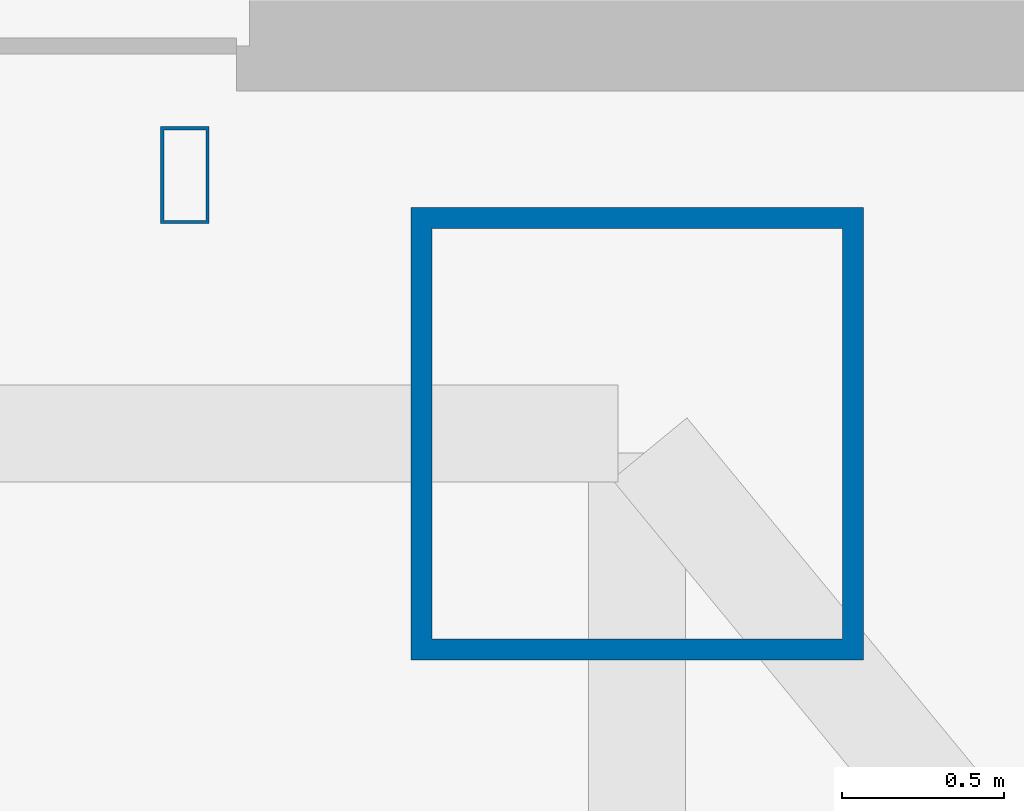
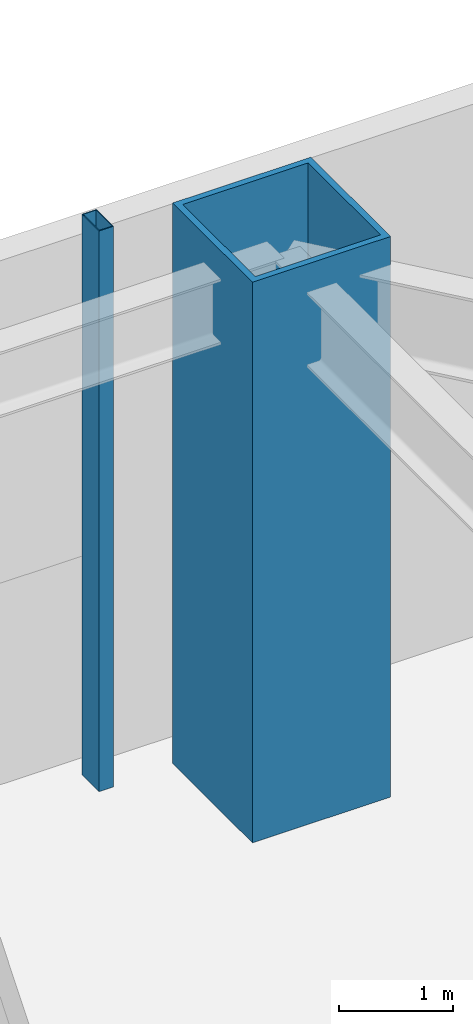
# One storey, part 5 of 23: 2 columns.
"""IFC4 building model written with IfcOpenShell, lengths in metres."""

import ifcopenshell
import ifcopenshell.guid

model = None  # the IFC model being written
_history = None  # IfcOwnerHistory: only IFC2X3 demands one
_inside = {}  # id of a spatial element -> (the spatial element, [elements in it])
_under = {}  # id of a project, library or spatial element -> (it, [spatial elements below it])
_declared = {}  # id of a project -> (the project, [libraries it declares])
_typed = {}  # id of a type object -> (the type object, [elements of that type])
_made_of = {}  # id of a material, layer set ... -> (it, [elements and type objects made of it])


def new_model(schema):
    """Start an empty IFC model of exactly this schema.

    Asked for "IFC4X3", IfcOpenShell would pick the latest addendum, in which some entities
    have other attributes; the version numbers below select the first issue.
    IFC2X3 requires an IfcOwnerHistory on every rooted entity: one is made here for all.
    """
    global model, _history
    if schema == "IFC4X3":
        model = ifcopenshell.file(schema_version=(4, 3, 0, 0))
    else:
        model = ifcopenshell.file(schema=schema)
    _inside.clear()
    _under.clear()
    _declared.clear()
    _typed.clear()
    _made_of.clear()
    _history = None
    if model.schema == "IFC2X3":
        org = make("IfcOrganization", Name="unknown")
        user = make(
            "IfcPersonAndOrganization",
            ThePerson=make("IfcPerson", FamilyName="unknown"),
            TheOrganization=org,
        )
        app = make(
            "IfcApplication",
            ApplicationDeveloper=org,
            Version="unknown",
            ApplicationFullName="unknown",
            ApplicationIdentifier="unknown",
        )
        _history = make(
            "IfcOwnerHistory",
            OwningUser=user,
            OwningApplication=app,
            ChangeAction="ADDED",
            CreationDate=0,
        )
    return model


def make(cls, **values):
    """One entity of the class cls with the attributes given. An attribute that is None is left unset."""
    return model.create_entity(
        cls, **{name: value for name, value in values.items() if value is not None}
    )


def rooted(cls, **values):
    """An entity with a GlobalId (a new one), such as an element, a storey or a relation."""
    return make(cls, GlobalId=ifcopenshell.guid.new(), OwnerHistory=_history, **values)


def si_unit(unit_type, name, prefix=None):
    """IfcSIUnit, for example si_unit("LENGTHUNIT", "METRE", prefix="MILLI")."""
    return make("IfcSIUnit", UnitType=unit_type, Prefix=prefix, Name=name)


def assignment(units):
    """IfcUnitAssignment: the units of a project."""
    return None if units is None else make("IfcUnitAssignment", Units=units)


def point(xyz):
    """IfcCartesianPoint."""
    return None if xyz is None else make("IfcCartesianPoint", Coordinates=xyz)


def direction(xyz):
    """IfcDirection."""
    return None if xyz is None else make("IfcDirection", DirectionRatios=xyz)


def frame(location, z_axis=None, x_axis=None):
    """IfcAxis2Placement3D, a coordinate frame: its origin and axes. An axis left out is left unset."""
    return make(
        "IfcAxis2Placement3D",
        Location=point(location),
        Axis=direction(z_axis),
        RefDirection=direction(x_axis),
    )


def frame_2d(location, x_axis=None):
    """IfcAxis2Placement2D, a coordinate frame in the plane: its origin and x axis."""
    return make(
        "IfcAxis2Placement2D", Location=point(location), RefDirection=direction(x_axis)
    )


def origin():
    """The frame at (0, 0, 0) with its axes left unset."""
    return frame((0.0, 0.0, 0.0))


def origin_2d():
    """The frame at (0, 0) in the plane with its x axis left unset."""
    return frame_2d((0.0, 0.0))


def place(relative_to, where):
    """IfcLocalPlacement: puts the frame where relative to a parent placement (None: the world)."""
    return make(
        "IfcLocalPlacement", PlacementRelTo=relative_to, RelativePlacement=where
    )


def context(
    kind, dimensions, precision=None, world=None, true_north=None, identifier=None
):
    """IfcGeometricRepresentationContext, for example the 3D "Model" context."""
    return make(
        "IfcGeometricRepresentationContext",
        ContextIdentifier=identifier,
        ContextType=kind,
        CoordinateSpaceDimension=dimensions,
        Precision=precision,
        WorldCoordinateSystem=world,
        TrueNorth=true_north,
    )


def subcontext(parent, identifier, kind, view, scale=None):
    """IfcGeometricRepresentationSubContext, for example "Body" below "Model"."""
    return make(
        "IfcGeometricRepresentationSubContext",
        ContextIdentifier=identifier,
        ContextType=kind,
        ParentContext=parent,
        TargetScale=scale,
        TargetView=view,
    )


def project(units=None, contexts=None):
    """IfcProject with its units and contexts."""
    return rooted(
        "IfcProject",
        Name="project",
        RepresentationContexts=contexts,
        UnitsInContext=assignment(units),
    )


def spatial(cls, under=None, at=None, **own):
    """A site, building, storey or space (cls), placed at a placement, below another one or the project."""
    s = rooted(cls, ObjectPlacement=at, **own)
    if under is not None:
        _under.setdefault(under.id(), (under, []))[1].append(s)
    return s


def profile(cls, at=None, kind="AREA", **sizes):
    """A parametric profile (cls). Its sizes go by their IFC names, for example OverallWidth=200.0."""
    return make(cls, ProfileType=kind, Position=at, **sizes)


def hollow_rectangle(**sizes):
    """IfcRectangleHollowProfileDef."""
    return profile("IfcRectangleHollowProfileDef", **sizes)


def extrude(swept, where, along, depth):
    """IfcExtrudedAreaSolid: the profile swept, set in the frame where, extruded along a direction by depth."""
    return make(
        "IfcExtrudedAreaSolid",
        SweptArea=swept,
        Position=where,
        ExtrudedDirection=direction(along),
        Depth=depth,
    )


def shape(context_of_items, identifier, shape_type, items):
    """IfcShapeRepresentation: the items that make up one representation, for example the "Body"."""
    return make(
        "IfcShapeRepresentation",
        ContextOfItems=context_of_items,
        RepresentationIdentifier=identifier,
        RepresentationType=shape_type,
        Items=items,
    )


def material(Name=None, Category=None):
    """IfcMaterial."""
    return make("IfcMaterial", Name=Name, Category=Category)


def material_profile(
    of_material, cross_section, Name=None, Category=None, Priority=None
):
    """IfcMaterialProfile: a cross section and its material."""
    return make(
        "IfcMaterialProfile",
        Name=Name,
        Material=of_material,
        Profile=cross_section,
        Priority=Priority,
        Category=Category,
    )


def profile_set(profiles, Name=None, composite=None):
    """IfcMaterialProfileSet."""
    return make(
        "IfcMaterialProfileSet",
        Name=Name,
        MaterialProfiles=profiles,
        CompositeProfile=composite,
    )


def made_of(thing, what):
    """Note that an element or type object is made of a material, layer set ...; save() writes the relation."""
    if what is not None:
        _made_of.setdefault(what.id(), (what, []))[1].append(thing)
    return thing


def type_object(cls, material=None, **own):
    """A type object (cls), such as IfcWallType, which elements share."""
    return made_of(rooted(cls, **own), material)


def element(
    cls,
    number,
    at=None,
    inside=None,
    cuts=None,
    type_object=None,
    material=None,
    context=None,
    identifier="Body",
    shape_type=None,
    held_by="IfcProductDefinitionShape",
    body=None,
    shapes=None,
    **own,
):
    """One element of the class cls, such as IfcWall. Its Tag is "e" and its number.

    at: its placement. inside: the storey or other place that contains it. cuts: it is an
    opening in that element (IfcRelVoidsElement). A single representation is given by context,
    identifier, shape_type and body (its items); several are given by shapes. held_by: the class
    of the entity that holds the representations. save() writes the other relations.
    """
    e = rooted(cls, Tag="e%d" % number, ObjectPlacement=at, **own)
    if body is not None:
        shapes = [shape(context, identifier, shape_type, body)]
    if shapes is not None:
        e.Representation = make(held_by, Representations=shapes)
    if inside is not None:
        _inside.setdefault(inside.id(), (inside, []))[1].append(e)
    if cuts is not None:
        rooted(
            "IfcRelVoidsElement", RelatingBuildingElement=cuts, RelatedOpeningElement=e
        )
    if type_object is not None:
        _typed.setdefault(type_object.id(), (type_object, []))[1].append(e)
    return made_of(e, material)


def aggregate(whole, parts):
    """IfcRelAggregates: a whole, such as a stair, and the parts it consists of."""
    return rooted("IfcRelAggregates", RelatingObject=whole, RelatedObjects=parts)


def save(model, path):
    """Write the relations noted so far, then the file.

    IfcRelAggregates (storeys below a building ...), IfcRelContainedInSpatialStructure (elements
    in a storey), IfcRelDefinesByType, IfcRelAssociatesMaterial and IfcRelDeclares: one each for
    every whole, place, type object, material and project.
    """
    for whole, parts in _under.values():
        aggregate(whole, parts)
    for where, things in _inside.values():
        rooted(
            "IfcRelContainedInSpatialStructure",
            RelatedElements=things,
            RelatingStructure=where,
        )
    for kind, things in _typed.values():
        rooted("IfcRelDefinesByType", RelatedObjects=things, RelatingType=kind)
    for what, things in _made_of.values():
        rooted("IfcRelAssociatesMaterial", RelatedObjects=things, RelatingMaterial=what)
    for by, libraries in _declared.values():
        rooted("IfcRelDeclares", RelatingContext=by, RelatedDefinitions=libraries)
    model.write(path)


model = new_model("IFC4")

# Units and contexts
model_context = context("Model", 3, precision=1e-05, world=origin(), true_north=direction((0.0, 1.0)))
body_context = subcontext(model_context, "Body", "Model", "MODEL_VIEW")
ifc_project = project(units=[si_unit("LENGTHUNIT", "METRE"), si_unit("AREAUNIT", "SQUARE_METRE"), si_unit("VOLUMEUNIT", "CUBIC_METRE"), si_unit("PLANEANGLEUNIT", "RADIAN"), si_unit("MASSUNIT", "GRAM", prefix="KILO")], contexts=[model_context])

# Site, building, storey
site_placement = place(None, origin())
site = spatial("IfcSite", under=ifc_project, at=site_placement, CompositionType="ELEMENT")
building_placement = place(site_placement, origin())
building = spatial("IfcBuilding", under=site, at=building_placement, Name="Saevonmaru Cultural Tower", CompositionType="ELEMENT")
storey_placement = place(building_placement, origin())
storey = spatial("IfcBuildingStorey", under=building, at=storey_placement, Name="L00", CompositionType="ELEMENT", Elevation=0.0)

# Columns
ifc_material_1 = material(Name="Steel HSA600 (600 MPa)", Category="steel")
ifc_material_profile_1 = material_profile(ifc_material_1, hollow_rectangle(XDim=1.39990234375, YDim=1.39990234375, WallThickness=0.06494140625, at=origin_2d()), Name="BOX-1400x1400x65")
ifc_profile_set_1 = profile_set([ifc_material_profile_1], Name="Steel HSA600 (600 MPa)")
column_type_1 = type_object("IfcColumnType", Name="COL-BOX-1400", PredefinedType="COLUMN", material=ifc_profile_set_1)
column_1_placement = place(storey_placement, frame((53.199951171875, 54.800048828125, 0.0), z_axis=(0.0, 0.0, 1.0), x_axis=(1.0, 0.0, 0.0)))
element("IfcColumn", 1, at=column_1_placement, inside=storey, type_object=column_type_1, Name="L00 Column TC-N6N", PredefinedType="COLUMN", context=body_context, shape_type="SweptSolid", body=[
    extrude(hollow_rectangle(XDim=1.39990234375, YDim=1.39990234375, WallThickness=0.06494140625, at=origin_2d()), origin(), (0.0, 0.0, 1.0), 6.0),
])
ifc_material_2 = material(Name="Steel SM355", Category="steel")
ifc_material_profile_2 = material_profile(ifc_material_2, hollow_rectangle(XDim=0.14990234375, YDim=0.300048828125, WallThickness=0.010009765625, at=origin_2d()), Name="RHS-300x150x10")
ifc_profile_set_2 = profile_set([ifc_material_profile_2], Name="Steel SM355")
column_type_2 = type_object("IfcColumnType", Name="PIL-RHS-300", PredefinedType="PILASTER", material=ifc_profile_set_2)
column_2_placement = place(storey_placement, frame((51.800048828125, 55.60009765625, 0.0), z_axis=(0.0, 0.0, 1.0), x_axis=(1.0, 0.0, 0.0)))
element("IfcColumn", 2, at=column_2_placement, inside=storey, type_object=column_type_2, Name="L00 Art Deco Bronze-Clad Pilaster PIL-NE", PredefinedType="PILASTER", context=body_context, shape_type="SweptSolid", body=[
    extrude(hollow_rectangle(XDim=0.14990234375, YDim=0.300048828125, WallThickness=0.010009765625, at=origin_2d()), origin(), (0.0, 0.0, 1.0), 6.0),
])

save(model, "model.ifc")
